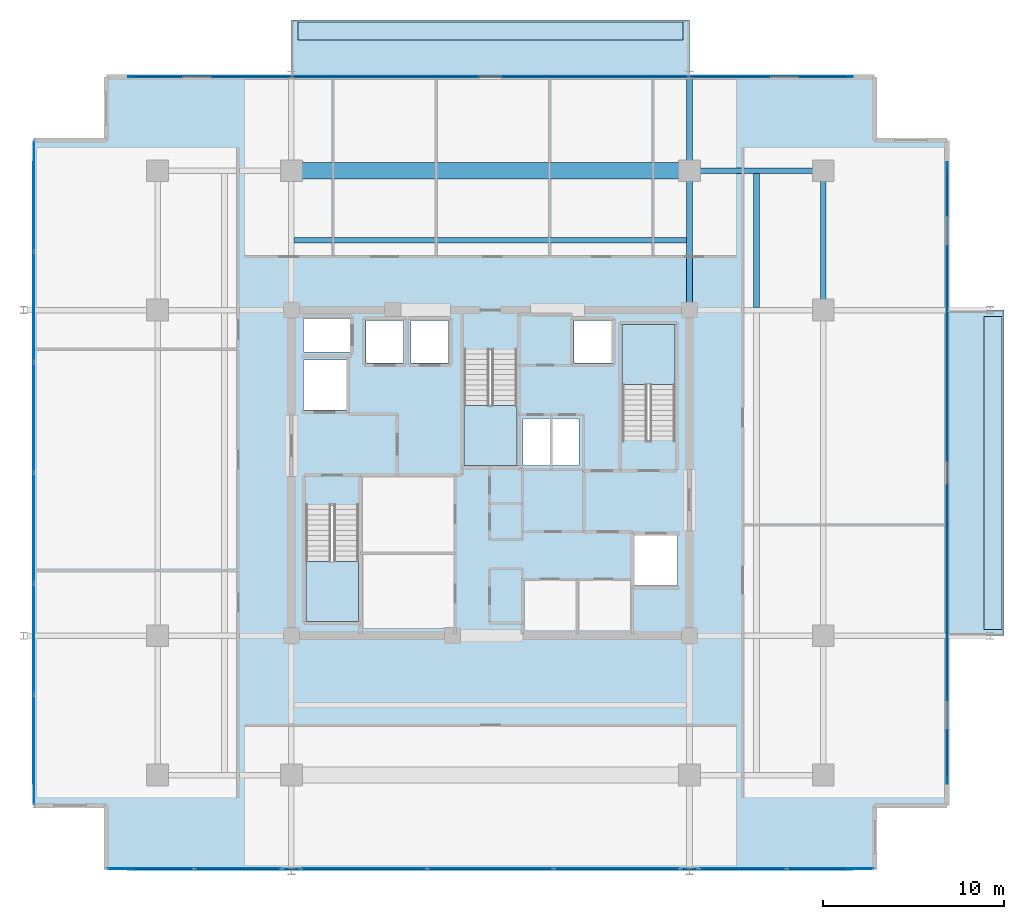
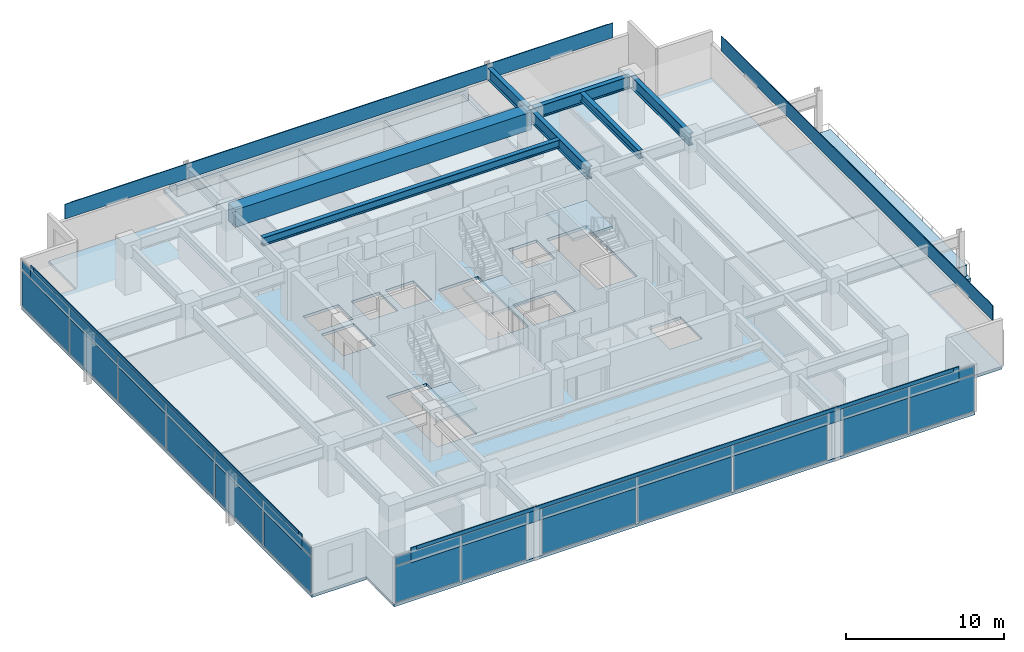
# One storey, part 12 of 20: 34 plates, 8 slabs, 7 beams, 7 elements without a shape of their own.
"""IFC4 building model written with IfcOpenShell, lengths in metres."""

from ifc_helpers import new_model, si_unit, direction, frame, origin, origin_2d, place, context, subcontext, project, spatial, polyline, rectangle, i_section, outline, extrude, material, layer, layer_set, material_profile, profile_set, type_object, element, aggregate, save


model = new_model("IFC4")

# Units and contexts
model_context = context("Model", 3, precision=1e-05, world=origin(), true_north=direction((0.0, 1.0)))
body_context = subcontext(model_context, "Body", "Model", "MODEL_VIEW")
ifc_project = project(units=[si_unit("LENGTHUNIT", "METRE"), si_unit("AREAUNIT", "SQUARE_METRE"), si_unit("VOLUMEUNIT", "CUBIC_METRE"), si_unit("PLANEANGLEUNIT", "RADIAN"), si_unit("MASSUNIT", "GRAM", prefix="KILO")], contexts=[model_context])

# Site, building, storey
site_placement = place(None, origin())
site = spatial("IfcSite", under=ifc_project, at=site_placement, CompositionType="ELEMENT")
building_placement = place(site_placement, origin())
building = spatial("IfcBuilding", under=site, at=building_placement, Name="Kovane Verandah Tower", CompositionType="ELEMENT")
storey_placement = place(building_placement, frame((0.0, 0.0, 291.199951171875)))
storey = spatial("IfcBuildingStorey", under=building, at=storey_placement, Name="L68", CompositionType="ELEMENT", Elevation=291.199951171875)

# Beams
ifc_material_1 = material(Name="Concrete C80/95", Category="concrete")
ifc_material_profile_1 = material_profile(ifc_material_1, rectangle(XDim=0.89990234375, YDim=1.35009765625, at=origin_2d()), Name="RCB900x1350")
ifc_profile_set_1 = profile_set([ifc_material_profile_1], Name="Concrete C80/95")
beam_type_1 = type_object("IfcBeamType", Name="BM-TR-900x1350", PredefinedType="BEAM", material=ifc_profile_set_1)
beam_1_placement = place(storey_placement, frame((29.179931640625, 44.199951171875, 3.025146484375), z_axis=(1.0, 0.0, 0.0), x_axis=(0.0, 1.0, 0.0)))
element("IfcBeam", 1, at=beam_1_placement, inside=storey, type_object=beam_type_1, Name="L68 Primary Tower Girder G-RN2", PredefinedType="BEAM", context=body_context, shape_type="SweptSolid", body=[
    extrude(rectangle(XDim=0.89990234375, YDim=1.35009765625, at=origin_2d()), origin(), (0.0, 0.0, 1.0), 21.64013671875),
])
ifc_material_2 = material(Name="Steel S460", Category="steel")
ifc_material_profile_2 = material_profile(ifc_material_2, i_section(OverallWidth=0.311279296875, OverallDepth=0.6357421875, WebThickness=0.018310546875, FlangeThickness=0.031494140625, FilletRadius=0.0166015625, at=origin_2d()), Name="UB610x305x238")
ifc_profile_set_2 = profile_set([ifc_material_profile_2], Name="Steel S460")
beam_type_2 = type_object("IfcBeamType", Name="BM-UB610x238", PredefinedType="BEAM", material=ifc_profile_set_2)
beam_2_placement = place(storey_placement, frame((29.15185546875, 40.35009765625, 3.382080078125), z_axis=(1.0, 0.0, 0.0), x_axis=(0.0, 1.0, 0.0)))
element("IfcBeam", 2, at=beam_2_placement, inside=storey, type_object=beam_type_2, Name="L68 Secondary Composite Joist J-N1", PredefinedType="BEAM", context=body_context, shape_type="SweptSolid", body=[
    extrude(i_section(OverallWidth=0.311279296875, OverallDepth=0.6357421875, WebThickness=0.018310546875, FlangeThickness=0.031494140625, FilletRadius=0.0166015625, at=origin_2d()), origin(), (0.0, 0.0, 1.0), 21.6962890625),
])
beam_3_placement = place(storey_placement, frame((54.699951171875, 36.65185546875, 3.382080078125), z_axis=(0.0, 1.0, 0.0), x_axis=(-1.0, 0.0, 0.0)))
element("IfcBeam", 3, at=beam_3_placement, inside=storey, type_object=beam_type_2, Name="L68 Secondary Composite Joist J-NE1", PredefinedType="BEAM", context=body_context, shape_type="SweptSolid", body=[
    extrude(i_section(OverallWidth=0.311279296875, OverallDepth=0.6357421875, WebThickness=0.018310546875, FlangeThickness=0.031494140625, FilletRadius=0.0166015625, at=origin_2d()), origin(), (0.0, 0.0, 1.0), 7.396240234375),
])
ifc_material_profile_3 = material_profile(ifc_material_2, i_section(OverallWidth=0.3076171875, OverallDepth=0.926513671875, WebThickness=0.01953125, FlangeThickness=0.031982421875, FilletRadius=0.01904296875, at=origin_2d()), Name="UB914x305x289")
ifc_profile_set_3 = profile_set([ifc_material_profile_3], Name="Steel S460")
beam_type_3 = type_object("IfcBeamType", Name="BM-UB914x289", PredefinedType="BEAM", material=ifc_profile_set_3)
beam_4_placement = place(storey_placement, frame((51.179931640625, 44.199951171875, 3.23681640625), z_axis=(1.0, 0.0, 0.0), x_axis=(0.0, 1.0, 0.0)))
element("IfcBeam", 4, at=beam_4_placement, inside=storey, type_object=beam_type_3, Name="L68 Primary Tower Girder G-RN3", PredefinedType="BEAM", context=body_context, shape_type="SweptSolid", body=[
    extrude(i_section(OverallWidth=0.3076171875, OverallDepth=0.926513671875, WebThickness=0.01953125, FlangeThickness=0.031982421875, FilletRadius=0.01904296875, at=origin_2d()), origin(), (0.0, 0.0, 1.0), 7.0400390625),
])
for number, where, z_axis, x_axis, name in (
    (5, (58.39990234375, 36.679931640625, 3.23681640625), (0.0, 1.0, 0.0), (-1.0, 0.0, 0.0), "L68 Primary Tower Girder G-RE3"),
    (6, (51.0, 36.679931640625, 3.23681640625), (0.0, 1.0, 0.0), (-1.0, 0.0, 0.0), "L68 Primary Tower Girder G-N2"),
):
    element("IfcBeam", number, at=place(storey_placement, frame(where, z_axis=z_axis, x_axis=x_axis)), inside=storey, type_object=beam_type_3, Name=name, PredefinedType="BEAM", context=body_context, shape_type="SweptSolid", body=[
        extrude(i_section(OverallWidth=0.3076171875, OverallDepth=0.926513671875, WebThickness=0.01953125, FlangeThickness=0.031982421875, FilletRadius=0.01904296875, at=origin_2d()), origin(), (0.0, 0.0, 1.0), 7.340087890625),
    ])
beam_5_placement = place(storey_placement, frame((51.0, 44.3798828125, 3.23681640625), z_axis=(0.0, 1.0, 0.0), x_axis=(-1.0, 0.0, 0.0)))
element("IfcBeam", 7, at=beam_5_placement, inside=storey, type_object=beam_type_3, Name="L68 Primary Tower Girder G-VN2", PredefinedType="BEAM", context=body_context, shape_type="SweptSolid", body=[
    extrude(i_section(OverallWidth=0.3076171875, OverallDepth=0.926513671875, WebThickness=0.01953125, FlangeThickness=0.031982421875, FilletRadius=0.01904296875, at=origin_2d()), origin(), (0.0, 0.0, 1.0), 4.940185546875),
])

# Curtain wall, plates
ifc_material_3 = material(Name="Champagne Anodised Aluminium Frame with Low-E Clear Laminated Glass", Category="aluminium")
curtain_wall_type = type_object("IfcCurtainWallType", Name="CW-SYS-05-HIGH", PredefinedType="NOTDEFINED", material=ifc_material_3)
curtain_wall_1_placement = place(storey_placement, origin())
curtain_wall_1 = element("IfcCurtainWall", 8, at=curtain_wall_1_placement, inside=storey, type_object=curtain_wall_type, Name="L68 S Unitised Curtain Wall-1", PredefinedType="NOTDEFINED")
ifc_material_4 = material(Name="Pale Champagne Anodised Aluminium Insulated Spandrel", Category="aluminium")
ifc_layer_1 = layer(ifc_material_4, 0.0400390625)
ifc_layer_set_1 = layer_set([ifc_layer_1], Name="Pale Champagne Anodised Aluminium Insulated Spandrel")
plate_type_1 = type_object("IfcPlateType", Name="PL-CW-SPD-40", PredefinedType="SHEET", material=ifc_layer_set_1)
plate_1_placement = place(storey_placement, frame((21.1962890625, 5.619384765625, 2.97021484375), z_axis=(0.0, 0.0, 1.0), x_axis=(1.0, 0.0, 0.0)))
plate_1 = element("IfcPlate", 9, at=plate_1_placement, type_object=plate_type_1, Name="L68 S Unitised Curtain Wall-1 Spandrel Panel 1", PredefinedType="SHEET", context=body_context, shape_type="SweptSolid", body=[
    extrude(rectangle(XDim=4.7158203125, YDim=0.0400390625, at=origin_2d()), origin(), (0.0, 0.0, 1.0), 0.639892578125),
])
plate_2_placement = place(storey_placement, frame((26.052001953125, 5.619384765625, 2.97021484375), z_axis=(0.0, 0.0, 1.0), x_axis=(1.0, 0.0, 0.0)))
plate_2 = element("IfcPlate", 10, at=plate_2_placement, type_object=plate_type_1, Name="L68 S Unitised Curtain Wall-1 Spandrel Panel 2", PredefinedType="SHEET", context=body_context, shape_type="SweptSolid", body=[
    extrude(rectangle(XDim=4.7158203125, YDim=0.0400390625, at=origin_2d()), origin(), (0.0, 0.0, 1.0), 0.639892578125),
])

curtain_wall_2_placement = place(storey_placement, origin())
curtain_wall_2 = element("IfcCurtainWall", 11, at=curtain_wall_2_placement, inside=storey, type_object=curtain_wall_type, Name="L68 S Unitised Curtain Wall-2", PredefinedType="NOTDEFINED")
plate_3_placement = place(storey_placement, frame((33.01318359375, 5.619384765625, 2.97021484375), z_axis=(0.0, 0.0, 1.0), x_axis=(1.0, 0.0, 0.0)))
plate_3 = element("IfcPlate", 12, at=plate_3_placement, type_object=plate_type_1, Name="L68 S Unitised Curtain Wall-2 Spandrel Panel 1", PredefinedType="SHEET", context=body_context, shape_type="SweptSolid", body=[
    extrude(rectangle(XDim=6.8466796875, YDim=0.0400390625, at=origin_2d()), origin(), (0.0, 0.0, 1.0), 0.639892578125),
])
plate_4_placement = place(storey_placement, frame((40.0, 5.619384765625, 2.97021484375), z_axis=(0.0, 0.0, 1.0), x_axis=(1.0, 0.0, 0.0)))
plate_4 = element("IfcPlate", 13, at=plate_4_placement, type_object=plate_type_1, Name="L68 S Unitised Curtain Wall-2 Spandrel Panel 2", PredefinedType="SHEET", context=body_context, shape_type="SweptSolid", body=[
    extrude(rectangle(XDim=6.8466796875, YDim=0.0400390625, at=origin_2d()), origin(), (0.0, 0.0, 1.0), 0.639892578125),
])
plate_5_placement = place(storey_placement, frame((46.98681640625, 5.619384765625, 2.97021484375), z_axis=(0.0, 0.0, 1.0), x_axis=(1.0, 0.0, 0.0)))
plate_5 = element("IfcPlate", 14, at=plate_5_placement, type_object=plate_type_1, Name="L68 S Unitised Curtain Wall-2 Spandrel Panel 3", PredefinedType="SHEET", context=body_context, shape_type="SweptSolid", body=[
    extrude(rectangle(XDim=6.8466796875, YDim=0.0400390625, at=origin_2d()), origin(), (0.0, 0.0, 1.0), 0.639892578125),
])

curtain_wall_3_placement = place(storey_placement, origin())
curtain_wall_3 = element("IfcCurtainWall", 15, at=curtain_wall_3_placement, inside=storey, type_object=curtain_wall_type, Name="L68 S Unitised Curtain Wall-3", PredefinedType="NOTDEFINED")
plate_6_placement = place(storey_placement, frame((53.947998046875, 5.619384765625, 2.97021484375), z_axis=(0.0, 0.0, 1.0), x_axis=(1.0, 0.0, 0.0)))
plate_6 = element("IfcPlate", 16, at=plate_6_placement, type_object=plate_type_1, Name="L68 S Unitised Curtain Wall-3 Spandrel Panel 1", PredefinedType="SHEET", context=body_context, shape_type="SweptSolid", body=[
    extrude(rectangle(XDim=4.7158203125, YDim=0.0400390625, at=origin_2d()), origin(), (0.0, 0.0, 1.0), 0.639892578125),
])
plate_7_placement = place(storey_placement, frame((58.8037109375, 5.619384765625, 2.97021484375), z_axis=(0.0, 0.0, 1.0), x_axis=(1.0, 0.0, 0.0)))
plate_7 = element("IfcPlate", 17, at=plate_7_placement, type_object=plate_type_1, Name="L68 S Unitised Curtain Wall-3 Spandrel Panel 2", PredefinedType="SHEET", context=body_context, shape_type="SweptSolid", body=[
    extrude(rectangle(XDim=4.7158203125, YDim=0.0400390625, at=origin_2d()), origin(), (0.0, 0.0, 1.0), 0.639892578125),
])

curtain_wall_4_placement = place(storey_placement, origin())
curtain_wall_4 = element("IfcCurtainWall", 18, at=curtain_wall_4_placement, inside=storey, type_object=curtain_wall_type, Name="L68 W Unitised Curtain Wall", PredefinedType="NOTDEFINED")
plate_8_placement = place(storey_placement, frame((14.768310546875, 42.817138671875, 2.97021484375), z_axis=(0.0, 0.0, 1.0), x_axis=(0.0, -1.0, 0.0)))
plate_8 = element("IfcPlate", 19, at=plate_8_placement, type_object=plate_type_1, Name="L68 W Unitised Curtain Wall Spandrel Panel 1", PredefinedType="SHEET", context=body_context, shape_type="SweptSolid", body=[
    extrude(rectangle(XDim=5.98681640625, YDim=0.0400390625, at=origin_2d()), origin(), (0.0, 0.0, 1.0), 0.639892578125),
])
plate_9_placement = place(storey_placement, frame((14.768310546875, 36.690185546875, 2.97021484375), z_axis=(0.0, 0.0, 1.0), x_axis=(0.0, -1.0, 0.0)))
plate_9 = element("IfcPlate", 20, at=plate_9_placement, type_object=plate_type_1, Name="L68 W Unitised Curtain Wall Spandrel Panel 2", PredefinedType="SHEET", context=body_context, shape_type="SweptSolid", body=[
    extrude(rectangle(XDim=5.98681640625, YDim=0.0400390625, at=origin_2d()), origin(), (0.0, 0.0, 1.0), 0.639892578125),
])
plate_10_placement = place(storey_placement, frame((14.768310546875, 30.5634765625, 2.97021484375), z_axis=(0.0, 0.0, 1.0), x_axis=(0.0, -1.0, 0.0)))
plate_10 = element("IfcPlate", 21, at=plate_10_placement, type_object=plate_type_1, Name="L68 W Unitised Curtain Wall Spandrel Panel 3", PredefinedType="SHEET", context=body_context, shape_type="SweptSolid", body=[
    extrude(rectangle(XDim=5.98681640625, YDim=0.0400390625, at=origin_2d()), origin(), (0.0, 0.0, 1.0), 0.639892578125),
])
plate_11_placement = place(storey_placement, frame((14.768310546875, 24.4365234375, 2.97021484375), z_axis=(0.0, 0.0, 1.0), x_axis=(0.0, -1.0, 0.0)))
plate_11 = element("IfcPlate", 22, at=plate_11_placement, type_object=plate_type_1, Name="L68 W Unitised Curtain Wall Spandrel Panel 4", PredefinedType="SHEET", context=body_context, shape_type="SweptSolid", body=[
    extrude(rectangle(XDim=5.98681640625, YDim=0.0400390625, at=origin_2d()), origin(), (0.0, 0.0, 1.0), 0.639892578125),
])
plate_12_placement = place(storey_placement, frame((14.768310546875, 18.309814453125, 2.97021484375), z_axis=(0.0, 0.0, 1.0), x_axis=(0.0, -1.0, 0.0)))
plate_12 = element("IfcPlate", 23, at=plate_12_placement, type_object=plate_type_1, Name="L68 W Unitised Curtain Wall Spandrel Panel 5", PredefinedType="SHEET", context=body_context, shape_type="SweptSolid", body=[
    extrude(rectangle(XDim=5.98681640625, YDim=0.0400390625, at=origin_2d()), origin(), (0.0, 0.0, 1.0), 0.639892578125),
])
plate_13_placement = place(storey_placement, frame((14.768310546875, 12.182861328125, 2.97021484375), z_axis=(0.0, 0.0, 1.0), x_axis=(0.0, -1.0, 0.0)))
plate_13 = element("IfcPlate", 24, at=plate_13_placement, type_object=plate_type_1, Name="L68 W Unitised Curtain Wall Spandrel Panel 6", PredefinedType="SHEET", context=body_context, shape_type="SweptSolid", body=[
    extrude(rectangle(XDim=5.98681640625, YDim=0.0400390625, at=origin_2d()), origin(), (0.0, 0.0, 1.0), 0.639892578125),
])

# Plate
ifc_material_5 = material(Name="Clear Low-E Laminated Double Glazing", Category="glass")
ifc_layer_2 = layer(ifc_material_5, 0.031982421875)
ifc_layer_set_2 = layer_set([ifc_layer_2], Name="Clear Low-E Laminated Double Glazing")
plate_type_2 = type_object("IfcPlateType", Name="PL-CW-VIS-32", PredefinedType="CURTAIN_PANEL", material=ifc_layer_set_2)
plate_14_placement = place(storey_placement, frame((21.1962890625, 5.619384765625, 0.10009765625), z_axis=(0.0, 0.0, 1.0), x_axis=(1.0, 0.0, 0.0)))
plate_14 = element("IfcPlate", 25, at=plate_14_placement, type_object=plate_type_2, Name="L68 S Unitised Curtain Wall-1 Vision Panel 1", PredefinedType="CURTAIN_PANEL", context=body_context, shape_type="SweptSolid", body=[
    extrude(rectangle(XDim=4.7158203125, YDim=0.031982421875, at=origin_2d()), origin(), (0.0, 0.0, 1.0), 2.77001953125),
])

plate_15_placement = place(storey_placement, frame((26.052001953125, 5.619384765625, 0.10009765625), z_axis=(0.0, 0.0, 1.0), x_axis=(1.0, 0.0, 0.0)))
plate_15 = element("IfcPlate", 26, at=plate_15_placement, type_object=plate_type_2, Name="L68 S Unitised Curtain Wall-1 Vision Panel 2", PredefinedType="CURTAIN_PANEL", context=body_context, shape_type="SweptSolid", body=[
    extrude(rectangle(XDim=4.7158203125, YDim=0.031982421875, at=origin_2d()), origin(), (0.0, 0.0, 1.0), 2.77001953125),
])

aggregate(curtain_wall_1, [plate_14, plate_1, plate_15, plate_2])

plate_16_placement = place(storey_placement, frame((33.01318359375, 5.619384765625, 0.10009765625), z_axis=(0.0, 0.0, 1.0), x_axis=(1.0, 0.0, 0.0)))
plate_16 = element("IfcPlate", 27, at=plate_16_placement, type_object=plate_type_2, Name="L68 S Unitised Curtain Wall-2 Vision Panel 1", PredefinedType="CURTAIN_PANEL", context=body_context, shape_type="SweptSolid", body=[
    extrude(rectangle(XDim=6.8466796875, YDim=0.031982421875, at=origin_2d()), origin(), (0.0, 0.0, 1.0), 2.77001953125),
])

plate_17_placement = place(storey_placement, frame((40.0, 5.619384765625, 0.10009765625), z_axis=(0.0, 0.0, 1.0), x_axis=(1.0, 0.0, 0.0)))
plate_17 = element("IfcPlate", 28, at=plate_17_placement, type_object=plate_type_2, Name="L68 S Unitised Curtain Wall-2 Vision Panel 2", PredefinedType="CURTAIN_PANEL", context=body_context, shape_type="SweptSolid", body=[
    extrude(rectangle(XDim=6.8466796875, YDim=0.031982421875, at=origin_2d()), origin(), (0.0, 0.0, 1.0), 2.77001953125),
])

plate_18_placement = place(storey_placement, frame((46.98681640625, 5.619384765625, 0.10009765625), z_axis=(0.0, 0.0, 1.0), x_axis=(1.0, 0.0, 0.0)))
plate_18 = element("IfcPlate", 29, at=plate_18_placement, type_object=plate_type_2, Name="L68 S Unitised Curtain Wall-2 Vision Panel 3", PredefinedType="CURTAIN_PANEL", context=body_context, shape_type="SweptSolid", body=[
    extrude(rectangle(XDim=6.8466796875, YDim=0.031982421875, at=origin_2d()), origin(), (0.0, 0.0, 1.0), 2.77001953125),
])

aggregate(curtain_wall_2, [plate_16, plate_3, plate_17, plate_4, plate_18, plate_5])

plate_19_placement = place(storey_placement, frame((53.947998046875, 5.619384765625, 0.10009765625), z_axis=(0.0, 0.0, 1.0), x_axis=(1.0, 0.0, 0.0)))
plate_19 = element("IfcPlate", 30, at=plate_19_placement, type_object=plate_type_2, Name="L68 S Unitised Curtain Wall-3 Vision Panel 1", PredefinedType="CURTAIN_PANEL", context=body_context, shape_type="SweptSolid", body=[
    extrude(rectangle(XDim=4.7158203125, YDim=0.031982421875, at=origin_2d()), origin(), (0.0, 0.0, 1.0), 2.77001953125),
])

plate_20_placement = place(storey_placement, frame((58.8037109375, 5.619384765625, 0.10009765625), z_axis=(0.0, 0.0, 1.0), x_axis=(1.0, 0.0, 0.0)))
plate_20 = element("IfcPlate", 31, at=plate_20_placement, type_object=plate_type_2, Name="L68 S Unitised Curtain Wall-3 Vision Panel 2", PredefinedType="CURTAIN_PANEL", context=body_context, shape_type="SweptSolid", body=[
    extrude(rectangle(XDim=4.7158203125, YDim=0.031982421875, at=origin_2d()), origin(), (0.0, 0.0, 1.0), 2.77001953125),
])

aggregate(curtain_wall_3, [plate_19, plate_6, plate_20, plate_7])

plate_21_placement = place(storey_placement, frame((14.768310546875, 42.817138671875, 0.10009765625), z_axis=(0.0, 0.0, 1.0), x_axis=(0.0, -1.0, 0.0)))
plate_21 = element("IfcPlate", 32, at=plate_21_placement, type_object=plate_type_2, Name="L68 W Unitised Curtain Wall Vision Panel 1", PredefinedType="CURTAIN_PANEL", context=body_context, shape_type="SweptSolid", body=[
    extrude(rectangle(XDim=5.98681640625, YDim=0.031982421875, at=origin_2d()), origin(), (0.0, 0.0, 1.0), 2.77001953125),
])

plate_22_placement = place(storey_placement, frame((14.768310546875, 36.690185546875, 0.10009765625), z_axis=(0.0, 0.0, 1.0), x_axis=(0.0, -1.0, 0.0)))
plate_22 = element("IfcPlate", 33, at=plate_22_placement, type_object=plate_type_2, Name="L68 W Unitised Curtain Wall Vision Panel 2", PredefinedType="CURTAIN_PANEL", context=body_context, shape_type="SweptSolid", body=[
    extrude(rectangle(XDim=5.98681640625, YDim=0.031982421875, at=origin_2d()), origin(), (0.0, 0.0, 1.0), 2.77001953125),
])

plate_23_placement = place(storey_placement, frame((14.768310546875, 30.5634765625, 0.10009765625), z_axis=(0.0, 0.0, 1.0), x_axis=(0.0, -1.0, 0.0)))
plate_23 = element("IfcPlate", 34, at=plate_23_placement, type_object=plate_type_2, Name="L68 W Unitised Curtain Wall Vision Panel 3", PredefinedType="CURTAIN_PANEL", context=body_context, shape_type="SweptSolid", body=[
    extrude(rectangle(XDim=5.98681640625, YDim=0.031982421875, at=origin_2d()), origin(), (0.0, 0.0, 1.0), 2.77001953125),
])

plate_24_placement = place(storey_placement, frame((14.768310546875, 24.4365234375, 0.10009765625), z_axis=(0.0, 0.0, 1.0), x_axis=(0.0, -1.0, 0.0)))
plate_24 = element("IfcPlate", 35, at=plate_24_placement, type_object=plate_type_2, Name="L68 W Unitised Curtain Wall Vision Panel 4", PredefinedType="CURTAIN_PANEL", context=body_context, shape_type="SweptSolid", body=[
    extrude(rectangle(XDim=5.98681640625, YDim=0.031982421875, at=origin_2d()), origin(), (0.0, 0.0, 1.0), 2.77001953125),
])

plate_25_placement = place(storey_placement, frame((14.768310546875, 18.309814453125, 0.10009765625), z_axis=(0.0, 0.0, 1.0), x_axis=(0.0, -1.0, 0.0)))
plate_25 = element("IfcPlate", 36, at=plate_25_placement, type_object=plate_type_2, Name="L68 W Unitised Curtain Wall Vision Panel 5", PredefinedType="CURTAIN_PANEL", context=body_context, shape_type="SweptSolid", body=[
    extrude(rectangle(XDim=5.98681640625, YDim=0.031982421875, at=origin_2d()), origin(), (0.0, 0.0, 1.0), 2.77001953125),
])

plate_26_placement = place(storey_placement, frame((14.768310546875, 12.182861328125, 0.10009765625), z_axis=(0.0, 0.0, 1.0), x_axis=(0.0, -1.0, 0.0)))
plate_26 = element("IfcPlate", 37, at=plate_26_placement, type_object=plate_type_2, Name="L68 W Unitised Curtain Wall Vision Panel 6", PredefinedType="CURTAIN_PANEL", context=body_context, shape_type="SweptSolid", body=[
    extrude(rectangle(XDim=5.98681640625, YDim=0.031982421875, at=origin_2d()), origin(), (0.0, 0.0, 1.0), 2.77001953125),
])

aggregate(curtain_wall_4, [plate_21, plate_8, plate_22, plate_9, plate_23, plate_10, plate_24, plate_11, plate_25, plate_12, plate_26, plate_13])

# Plates
ifc_material_6 = material(Name="Perforated Pale Champagne Anodised Aluminium Solar Screen", Category="aluminium")
ifc_layer_3 = layer(ifc_material_6, 0.050048828125)
ifc_layer_set_3 = layer_set([ifc_layer_3], Name="Perforated Pale Champagne Anodised Aluminium Solar Screen")
plate_type_3 = type_object("IfcPlateType", Name="PL-SCREEN-50", PredefinedType="USERDEFINED", material=ifc_layer_set_3)
plate_27_placement = place(storey_placement, frame((40.0, 5.6044921875, 2.800048828125), z_axis=(0.0, 0.0, 1.0), x_axis=(1.0, 0.0, 0.0)))
element("IfcPlate", 38, at=plate_27_placement, inside=storey, type_object=plate_type_3, Name="L68 S Perforated Champagne-Gold Solar Screen", ObjectType="SCREEN", PredefinedType="USERDEFINED", context=body_context, shape_type="SweptSolid", body=[
    extrude(rectangle(XDim=40.06298828125, YDim=0.050048828125, at=origin_2d()), origin(), (0.0, 0.0, 1.0), 1.14990234375),
])
plate_28_placement = place(storey_placement, frame((65.24658203125, 27.5, 2.800048828125), z_axis=(0.0, 0.0, 1.0), x_axis=(0.0, 1.0, 0.0)))
element("IfcPlate", 39, at=plate_28_placement, inside=storey, type_object=plate_type_3, Name="L68 E Perforated Champagne-Gold Solar Screen", ObjectType="SCREEN", PredefinedType="USERDEFINED", context=body_context, shape_type="SweptSolid", body=[
    extrude(rectangle(XDim=34.361083984375, YDim=0.050048828125, at=origin_2d()), origin(), (0.0, 0.0, 1.0), 1.14990234375),
])
plate_29_placement = place(storey_placement, frame((40.0, 49.3955078125, 2.800048828125), z_axis=(0.0, 0.0, 1.0), x_axis=(-1.0, 0.0, 0.0)))
element("IfcPlate", 40, at=plate_29_placement, inside=storey, type_object=plate_type_3, Name="L68 N Perforated Champagne-Gold Solar Screen", ObjectType="SCREEN", PredefinedType="USERDEFINED", context=body_context, shape_type="SweptSolid", body=[
    extrude(rectangle(XDim=40.06298828125, YDim=0.050048828125, at=origin_2d()), origin(), (0.0, 0.0, 1.0), 1.14990234375),
])
plate_30_placement = place(storey_placement, frame((14.75341796875, 27.5, 2.800048828125), z_axis=(0.0, 0.0, 1.0), x_axis=(0.0, -1.0, 0.0)))
element("IfcPlate", 41, at=plate_30_placement, inside=storey, type_object=plate_type_3, Name="L68 W Perforated Champagne-Gold Solar Screen", ObjectType="SCREEN", PredefinedType="USERDEFINED", context=body_context, shape_type="SweptSolid", body=[
    extrude(rectangle(XDim=34.361083984375, YDim=0.050048828125, at=origin_2d()), origin(), (0.0, 0.0, 1.0), 1.14990234375),
])
ifc_material_7 = material(Name="Extruded Pale-Bronze Aluminium Aerofoil Sunshade", Category="aluminium")
ifc_layer_4 = layer(ifc_material_7, 0.06005859375)
ifc_layer_set_4 = layer_set([ifc_layer_4], Name="Extruded Pale-Bronze Aluminium Aerofoil Sunshade")
plate_type_4 = type_object("IfcPlateType", Name="PL-SUNSHADE-60", PredefinedType="USERDEFINED", material=ifc_layer_set_4)
plate_31_placement = place(storey_placement, frame((40.0, 5.599365234375, 3.68017578125), z_axis=(0.0, 0.0, 1.0), x_axis=(1.0, 0.0, 0.0)))
element("IfcPlate", 42, at=plate_31_placement, inside=storey, type_object=plate_type_4, Name="L68 S Subtropical Aerofoil Sunshade", ObjectType="SUNSHADE", PredefinedType="USERDEFINED", context=body_context, shape_type="SweptSolid", body=[
    extrude(rectangle(XDim=39.262939453125, YDim=0.06005859375, at=origin_2d()), origin(), (0.0, 0.0, 1.0), 0.280029296875),
])
plate_32_placement = place(storey_placement, frame((65.251708984375, 27.5, 3.68017578125), z_axis=(0.0, 0.0, 1.0), x_axis=(0.0, 1.0, 0.0)))
element("IfcPlate", 43, at=plate_32_placement, inside=storey, type_object=plate_type_4, Name="L68 E Subtropical Aerofoil Sunshade", ObjectType="SUNSHADE", PredefinedType="USERDEFINED", context=body_context, shape_type="SweptSolid", body=[
    extrude(rectangle(XDim=33.56103515625, YDim=0.06005859375, at=origin_2d()), origin(), (0.0, 0.0, 1.0), 0.280029296875),
])
plate_33_placement = place(storey_placement, frame((40.0, 49.400634765625, 3.68017578125), z_axis=(0.0, 0.0, 1.0), x_axis=(-1.0, 0.0, 0.0)))
element("IfcPlate", 44, at=plate_33_placement, inside=storey, type_object=plate_type_4, Name="L68 N Subtropical Aerofoil Sunshade", ObjectType="SUNSHADE", PredefinedType="USERDEFINED", context=body_context, shape_type="SweptSolid", body=[
    extrude(rectangle(XDim=39.262939453125, YDim=0.06005859375, at=origin_2d()), origin(), (0.0, 0.0, 1.0), 0.280029296875),
])
plate_34_placement = place(storey_placement, frame((14.748291015625, 27.5, 3.68017578125), z_axis=(0.0, 0.0, 1.0), x_axis=(0.0, -1.0, 0.0)))
element("IfcPlate", 45, at=plate_34_placement, inside=storey, type_object=plate_type_4, Name="L68 W Subtropical Aerofoil Sunshade", ObjectType="SUNSHADE", PredefinedType="USERDEFINED", context=body_context, shape_type="SweptSolid", body=[
    extrude(rectangle(XDim=33.56103515625, YDim=0.06005859375, at=origin_2d()), origin(), (0.0, 0.0, 1.0), 0.280029296875),
])

# Slabs
ifc_material_8 = material(Name="Concrete C45/55", Category="concrete")
ifc_layer_5 = layer(ifc_material_8, 0.239990234375)
ifc_layer_set_5 = layer_set([ifc_layer_5], Name="Concrete C45/55")
slab_type_1 = type_object("IfcSlabType", Name="SL-BALC-240", PredefinedType="FLOOR", material=ifc_layer_set_5)
slab_1_placement = place(storey_placement, frame((0.0, 0.0, -0.239990234375)))
element("IfcSlab", 46, at=slab_1_placement, inside=storey, type_object=slab_type_1, Name="L68 N Planted Verandah Balcony Slab", PredefinedType="FLOOR", context=body_context, shape_type="SweptSolid", body=[
    extrude(outline(polyline([(29.0, 49.380615234375), (51.0, 49.380615234375), (51.0, 52.530517578125), (29.0, 52.530517578125), (29.0, 49.380615234375)])), origin(), (0.0, 0.0, 1.0), 0.239990234375),
])
slab_2_placement = place(storey_placement, frame((0.0, 0.0, -0.239990234375)))
element("IfcSlab", 47, at=slab_2_placement, inside=storey, type_object=slab_type_1, Name="L68 E Planted Verandah Balcony Slab", PredefinedType="FLOOR", context=body_context, shape_type="SweptSolid", body=[
    extrude(outline(polyline([(65.231689453125, 18.5), (68.381591796875, 18.5), (68.381591796875, 36.5), (65.231689453125, 36.5), (65.231689453125, 18.5)])), origin(), (0.0, 0.0, 1.0), 0.239990234375),
])
ifc_layer_6 = layer(ifc_material_8, 0.215087890625)
ifc_layer_set_6 = layer_set([ifc_layer_6], Name="Concrete C45/55")
slab_type_2 = type_object("IfcSlabType", Name="SL-HIGH-215", PredefinedType="FLOOR", material=ifc_layer_set_6)
slab_3_placement = place(storey_placement, frame((0.0, 0.0, -0.21484375)))
element("IfcSlab", 48, at=slab_3_placement, inside=storey, type_object=slab_type_2, Name="L68 Structural Floor Slab", PredefinedType="FLOOR", context=body_context, shape_type="SweptSolid", body=[
    extrude(outline(polyline([(18.768310546875, 5.619384765625), (61.231689453125, 5.619384765625), (61.231689453125, 9.119384765625), (65.231689453125, 9.119384765625), (65.231689453125, 45.880615234375), (61.231689453125, 45.880615234375), (61.231689453125, 49.380615234375), (18.768310546875, 49.380615234375), (18.768310546875, 45.880615234375), (14.768310546875, 45.880615234375), (14.768310546875, 9.119384765625), (18.768310546875, 9.119384765625), (18.768310546875, 5.619384765625)]), holes=[polyline([(29.800048828125, 19.300048828125), (32.719970703125, 19.300048828125), (32.719970703125, 25.705078125), (29.800048828125, 25.705078125), (29.800048828125, 19.300048828125)]), polyline([(47.280029296875, 29.294921875), (50.199951171875, 29.294921875), (50.199951171875, 35.699951171875), (47.280029296875, 35.699951171875), (47.280029296875, 29.294921875)]), polyline([(38.5400390625, 27.89990234375), (41.4599609375, 27.89990234375), (41.4599609375, 34.304931640625), (38.5400390625, 34.304931640625), (38.5400390625, 27.89990234375)]), polyline([(29.669921875, 30.969970703125), (32.030029296875, 30.969970703125), (32.030029296875, 33.72998046875), (29.669921875, 33.72998046875), (29.669921875, 30.969970703125)]), polyline([(47.969970703125, 21.27001953125), (50.330078125, 21.27001953125), (50.330078125, 24.030029296875), (47.969970703125, 24.030029296875), (47.969970703125, 21.27001953125)]), polyline([(29.669921875, 34.169921875), (32.22998046875, 34.169921875), (32.22998046875, 36.030029296875), (29.669921875, 36.030029296875), (29.669921875, 34.169921875)]), polyline([(33.1201171875, 33.570068359375), (35.179931640625, 33.570068359375), (35.179931640625, 35.929931640625), (33.1201171875, 35.929931640625), (33.1201171875, 33.570068359375)]), polyline([(35.6201171875, 33.570068359375), (37.679931640625, 33.570068359375), (37.679931640625, 35.929931640625), (35.6201171875, 35.929931640625), (35.6201171875, 33.570068359375)]), polyline([(44.6201171875, 33.570068359375), (46.679931640625, 33.570068359375), (46.679931640625, 35.929931640625), (44.6201171875, 35.929931640625), (44.6201171875, 33.570068359375)]), polyline([(41.800048828125, 27.89990234375), (44.89990234375, 27.89990234375), (44.89990234375, 30.5), (41.800048828125, 30.5), (41.800048828125, 27.89990234375)])]), origin(), (0.0, 0.0, 1.0), 0.21484375),
])

# Stair, slab
stair_type = type_object("IfcStairType", Name="ST-CORE-1380", PredefinedType="HALF_TURN_STAIR", material=ifc_material_8)
stair_1_placement = place(storey_placement, origin())
stair_1 = element("IfcStair", 49, at=stair_1_placement, inside=storey, type_object=stair_type, Name="L68 Exit Stair ST-01", PredefinedType="HALF_TURN_STAIR")
ifc_layer_7 = layer(ifc_material_8, 0.199951171875)
ifc_layer_set_7 = layer_set([ifc_layer_7], Name="Concrete C45/55")
slab_type_3 = type_object("IfcSlabType", Name="SL-LAND-200", PredefinedType="LANDING", material=ifc_layer_set_7)
slab_4_placement = place(storey_placement, frame((0.0, 0.0, 1.800048828125)))
slab_4 = element("IfcSlab", 50, at=slab_4_placement, type_object=slab_type_3, Name="ST-01 landing 1", PredefinedType="LANDING", context=body_context, shape_type="SweptSolid", body=[
    extrude(outline(polyline([(29.800048828125, 22.614990234375), (29.800048828125, 19.300048828125), (32.719970703125, 19.300048828125), (32.719970703125, 22.614990234375), (29.800048828125, 22.614990234375)])), origin(), (0.0, 0.0, 1.0), 0.199951171875),
])
aggregate(stair_1, [slab_4])

stair_2_placement = place(storey_placement, origin())
stair_2 = element("IfcStair", 51, at=stair_2_placement, inside=storey, type_object=stair_type, Name="L68 Exit Stair ST-02", PredefinedType="HALF_TURN_STAIR")
slab_5_placement = place(storey_placement, frame((0.0, 0.0, 1.800048828125)))
slab_5 = element("IfcSlab", 52, at=slab_5_placement, type_object=slab_type_3, Name="ST-02 landing 1", PredefinedType="LANDING", context=body_context, shape_type="SweptSolid", body=[
    extrude(outline(polyline([(50.199951171875, 32.385009765625), (50.199951171875, 35.699951171875), (47.280029296875, 35.699951171875), (47.280029296875, 32.385009765625), (50.199951171875, 32.385009765625)])), origin(), (0.0, 0.0, 1.0), 0.199951171875),
])
aggregate(stair_2, [slab_5])

stair_3_placement = place(storey_placement, origin())
stair_3 = element("IfcStair", 53, at=stair_3_placement, inside=storey, type_object=stair_type, Name="L68 Exit Stair ST-03", PredefinedType="HALF_TURN_STAIR")
slab_6_placement = place(storey_placement, frame((0.0, 0.0, 1.800048828125)))
slab_6 = element("IfcSlab", 54, at=slab_6_placement, type_object=slab_type_3, Name="ST-03 landing 1", PredefinedType="LANDING", context=body_context, shape_type="SweptSolid", body=[
    extrude(outline(polyline([(38.5400390625, 31.215087890625), (38.5400390625, 27.89990234375), (41.4599609375, 27.89990234375), (41.4599609375, 31.215087890625), (38.5400390625, 31.215087890625)])), origin(), (0.0, 0.0, 1.0), 0.199951171875),
])
aggregate(stair_3, [slab_6])

# Slabs
ifc_material_9 = material(Name="Architectural Precast Concrete C45/55 Planter Trough", Category="concrete")
ifc_layer_8 = layer(ifc_material_9, 0.219970703125)
ifc_layer_set_8 = layer_set([ifc_layer_8], Name="Architectural Precast Concrete C45/55 Planter Trough")
slab_type_4 = type_object("IfcSlabType", Name="SL-PLANTER-220", PredefinedType="USERDEFINED", material=ifc_layer_set_8)
slab_7_placement = place(storey_placement, origin())
element("IfcSlab", 55, at=slab_7_placement, inside=storey, type_object=slab_type_4, Name="L68 N Structural Tree Planter", ObjectType="PLANTER", PredefinedType="USERDEFINED", context=body_context, shape_type="SweptSolid", body=[
    extrude(outline(polyline([(29.35009765625, 51.4306640625), (50.64990234375, 51.4306640625), (50.64990234375, 52.4306640625), (29.35009765625, 52.4306640625), (29.35009765625, 51.4306640625)])), origin(), (0.0, 0.0, 1.0), 0.85009765625),
])
slab_8_placement = place(storey_placement, origin())
element("IfcSlab", 56, at=slab_8_placement, inside=storey, type_object=slab_type_4, Name="L68 E Structural Tree Planter", ObjectType="PLANTER", PredefinedType="USERDEFINED", context=body_context, shape_type="SweptSolid", body=[
    extrude(outline(polyline([(67.28173828125, 18.85009765625), (68.28173828125, 18.85009765625), (68.28173828125, 36.14990234375), (67.28173828125, 36.14990234375), (67.28173828125, 18.85009765625)])), origin(), (0.0, 0.0, 1.0), 0.85009765625),
])

save(model, "model.ifc")
